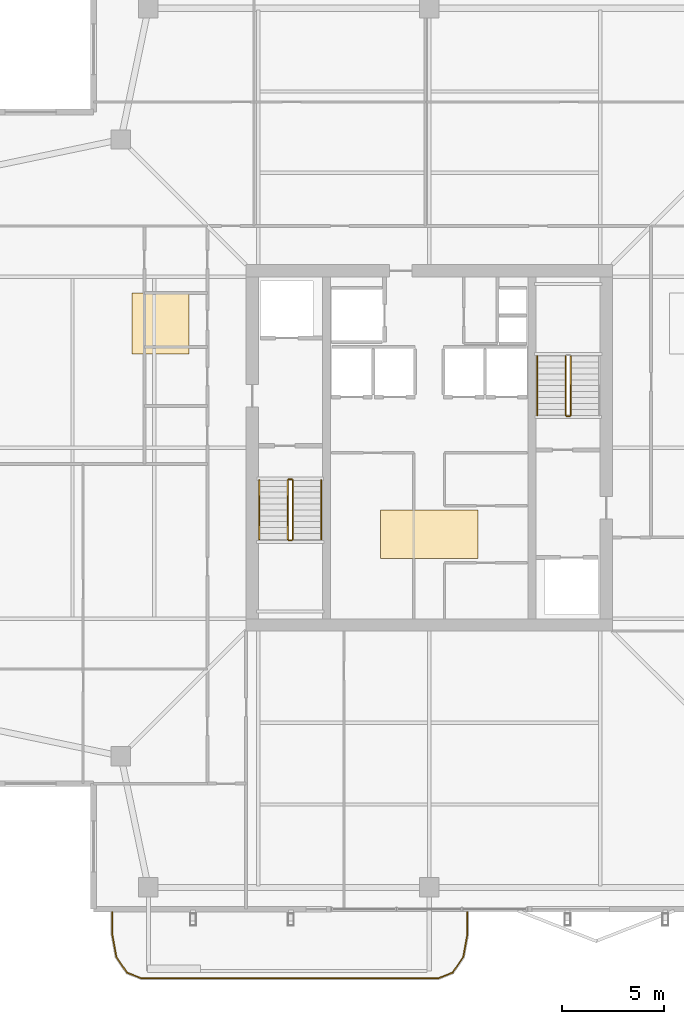
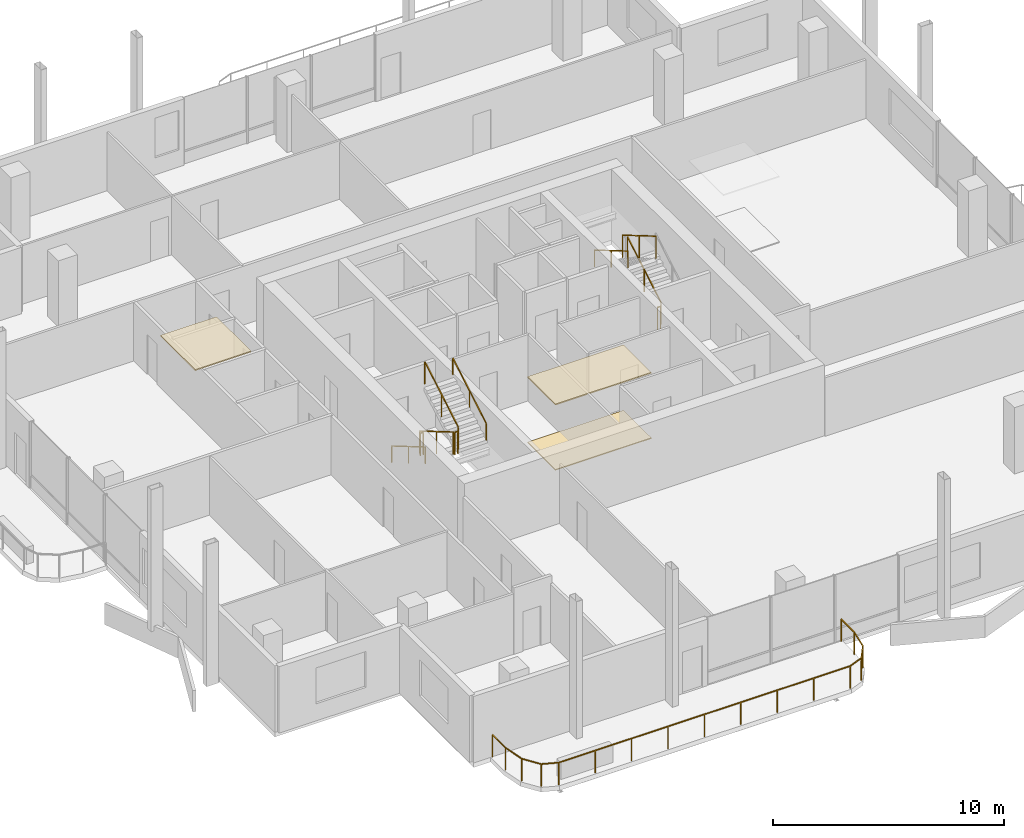
# One storey, part 18 of 20: 11 railings, 3 coverings.
"""IFC4 building model written with IfcOpenShell, lengths in metres."""

from ifc_helpers import new_model, si_unit, direction, frame, origin, origin_2d, place, context, subcontext, project, spatial, polyline, rectangle, outline, extrude, material, layer, layer_set, type_object, element, save


model = new_model("IFC4")

# Units and contexts
model_context = context("Model", 3, precision=1e-05, world=origin(), true_north=direction((0.0, 1.0)))
body_context = subcontext(model_context, "Body", "Model", "MODEL_VIEW")
ifc_project = project(units=[si_unit("LENGTHUNIT", "METRE"), si_unit("AREAUNIT", "SQUARE_METRE"), si_unit("VOLUMEUNIT", "CUBIC_METRE"), si_unit("PLANEANGLEUNIT", "RADIAN"), si_unit("MASSUNIT", "GRAM", prefix="KILO")], contexts=[model_context])

# Site, building, storey
site_placement = place(None, origin())
site = spatial("IfcSite", under=ifc_project, at=site_placement, CompositionType="ELEMENT")
building_placement = place(site_placement, origin())
building = spatial("IfcBuilding", under=site, at=building_placement, Name="Belovzor Exchange Tower", CompositionType="ELEMENT")
storey_placement = place(building_placement, frame((0.0, 0.0, 314.25)))
storey = spatial("IfcBuildingStorey", under=building, at=storey_placement, Name="L78", CompositionType="ELEMENT", Elevation=314.25)

# Railings
ifc_material_1 = material(Name="Stainless Steel Grade 304", Category="steel")
railing_type_1 = type_object("IfcRailingType", Name="Brushed Stainless Steel Stair Handrail 900", PredefinedType="HANDRAIL", material=ifc_material_1)
railing_1_placement = place(storey_placement, frame((20.449951171875, 27.199951171875, 0.17041015625)))
element("IfcRailing", 1, at=railing_1_placement, inside=storey, type_object=railing_type_1, Name="L78 ST-1 stair handrail 1", PredefinedType="HANDRAIL", context=body_context, shape_type="SweptSolid", body=[
    extrude(rectangle(XDim=0.048095703125, YDim=0.048095703125, at=origin_2d()), frame((0.0, 0.0, 0.8759765625), z_axis=(0.0, -0.86209462966, 0.506747323142), x_axis=(1.0, 0.0, 0.0)), (0.0, 0.0, 1.0), 3.36376953125),
    extrude(rectangle(XDim=0.0419921875, YDim=0.0419921875, at=origin_2d()), origin(), (0.0, 0.0, 1.0), 0.851806640625),
    extrude(rectangle(XDim=0.0419921875, YDim=0.0419921875, at=origin_2d()), frame((0.0, -1.449951171875, 0.852294921875)), (0.0, 0.0, 1.0), 0.851806640625),
    extrude(rectangle(XDim=0.0419921875, YDim=0.0419921875, at=origin_2d()), frame((0.0, -2.89990234375, 1.70458984375)), (0.0, 0.0, 1.0), 0.851806640625),
])
railing_2_placement = place(storey_placement, frame((23.5, 24.300048828125, 2.04541015625)))
element("IfcRailing", 2, at=railing_2_placement, inside=storey, type_object=railing_type_1, Name="L78 ST-1 stair handrail 2", PredefinedType="HANDRAIL", context=body_context, shape_type="SweptSolid", body=[
    extrude(rectangle(XDim=0.048095703125, YDim=0.048095703125, at=origin_2d()), frame((0.0, 0.0, 0.8759765625), z_axis=(0.0, 0.86209462966, 0.506747323142), x_axis=(-1.0, 0.0, 0.0)), (0.0, 0.0, 1.0), 3.36376953125),
    extrude(rectangle(XDim=0.0419921875, YDim=0.0419921875, at=origin_2d()), origin(), (0.0, 0.0, 1.0), 0.851806640625),
    extrude(rectangle(XDim=0.0419921875, YDim=0.0419921875, at=origin_2d()), frame((0.0, 1.449951171875, 0.852294921875)), (0.0, 0.0, 1.0), 0.851806640625),
    extrude(rectangle(XDim=0.0419921875, YDim=0.0419921875, at=origin_2d()), frame((0.0, 2.89990234375, 1.70458984375)), (0.0, 0.0, 1.0), 0.851806640625),
])
railing_3_placement = place(storey_placement, frame((34.10009765625, 33.300048828125, 2.04541015625)))
element("IfcRailing", 3, at=railing_3_placement, inside=storey, type_object=railing_type_1, Name="L78 ST-2 stair handrail 2", PredefinedType="HANDRAIL", context=body_context, shape_type="SweptSolid", body=[
    extrude(rectangle(XDim=0.048095703125, YDim=0.048095703125, at=origin_2d()), frame((0.0, 0.0, 0.8759765625), z_axis=(0.0, -0.862113265706, 0.506715617574), x_axis=(1.0, 0.0, 0.0)), (0.0, 0.0, 1.0), 3.364013671875),
    extrude(rectangle(XDim=0.0419921875, YDim=0.0419921875, at=origin_2d()), origin(), (0.0, 0.0, 1.0), 0.851806640625),
    extrude(rectangle(XDim=0.0419921875, YDim=0.0419921875, at=origin_2d()), frame((0.0, -1.4501953125, 0.852294921875)), (0.0, 0.0, 1.0), 0.851806640625),
    extrude(rectangle(XDim=0.0419921875, YDim=0.0419921875, at=origin_2d()), frame((0.0, -2.900146484375, 1.70458984375)), (0.0, 0.0, 1.0), 0.851806640625),
])
ifc_material_2 = material(Name="Stainless Steel and Laminated Safety Glass", Category="steel")
railing_type_2 = type_object("IfcRailingType", Name="Laminated Glass & Stainless Steel Balcony Balustrade 1200", PredefinedType="BALUSTRADE", material=ifc_material_2)
railing_4_placement = place(storey_placement, frame((13.22998046875, 5.989990234375, 0.0)))
element("IfcRailing", 4, at=railing_4_placement, inside=storey, type_object=railing_type_2, Name="GR-1 Balcony Balustrade L78 South", PredefinedType="BALUSTRADE", context=body_context, shape_type="SweptSolid", body=[
    extrude(rectangle(XDim=0.048095703125, YDim=0.048095703125, at=origin_2d()), frame((0.0, 0.0, 1.17578125), z_axis=(0.0, -1.0, 0.0), x_axis=(1.0, 0.0, 0.0)), (0.0, 0.0, 1.0), 1.133056640625),
    extrude(rectangle(XDim=0.048095703125, YDim=0.048095703125, at=origin_2d()), frame((0.0, -1.133056640625, 1.17578125), z_axis=(0.180122719713, -0.983644145941, 0.0), x_axis=(0.983644145941, 0.180122719713, 0.0)), (0.0, 0.0, 1.0), 1.09375),
    extrude(rectangle(XDim=0.048095703125, YDim=0.048095703125, at=origin_2d()), frame((0.197021484375, -2.208984375, 1.17578125), z_axis=(0.562768145367, -0.826614792125, 0.0), x_axis=(0.826614792125, 0.562768145367, 0.0)), (0.0, 0.0, 1.0), 0.9326171875),
    extrude(rectangle(XDim=0.048095703125, YDim=0.048095703125, at=origin_2d()), frame((0.721923828125, -2.97998046875, 1.17578125), z_axis=(0.930809580156, -0.365504480807, 0.0), x_axis=(0.365504480807, 0.930809580156, 0.0)), (0.0, 0.0, 1.0), 0.76611328125),
    extrude(rectangle(XDim=0.048095703125, YDim=0.048095703125, at=origin_2d()), frame((1.43505859375, -3.260009765625, 1.17578125), z_axis=(1.0, 0.0, 0.0), x_axis=(0.0, 1.0, 0.0)), (0.0, 0.0, 1.0), 14.570068359375),
    extrude(rectangle(XDim=0.048095703125, YDim=0.048095703125, at=origin_2d()), frame((16.005126953125, -3.260009765625, 1.17578125), z_axis=(0.930766990125, 0.365612923861, 0.0), x_axis=(-0.365612923861, 0.930766990125, 0.0)), (0.0, 0.0, 1.0), 0.765869140625),
    extrude(rectangle(XDim=0.048095703125, YDim=0.048095703125, at=origin_2d()), frame((16.718017578125, -2.97998046875, 1.17578125), z_axis=(0.562768145367, 0.826614792125, 0.0), x_axis=(-0.826614792125, 0.562768145367, 0.0)), (0.0, 0.0, 1.0), 0.9326171875),
    extrude(rectangle(XDim=0.048095703125, YDim=0.048095703125, at=origin_2d()), frame((17.242919921875, -2.208984375, 1.17578125), z_axis=(0.180122719713, 0.983644145941, 0.0), x_axis=(-0.983644145941, 0.180122719713, 0.0)), (0.0, 0.0, 1.0), 1.09375),
    extrude(rectangle(XDim=0.048095703125, YDim=0.048095703125, at=origin_2d()), frame((17.43994140625, -1.133056640625, 1.17578125), z_axis=(0.0, 1.0, 0.0), x_axis=(-1.0, 0.0, 0.0)), (0.0, 0.0, 1.0), 1.133056640625),
    extrude(rectangle(XDim=0.0419921875, YDim=0.0419921875, at=origin_2d()), origin(), (0.0, 0.0, 1.0), 1.15185546875),
    extrude(rectangle(XDim=0.0419921875, YDim=0.0419921875, at=origin_2d()), frame((0.0, -1.133056640625, 0.0)), (0.0, 0.0, 1.0), 1.15185546875),
    extrude(rectangle(XDim=0.0419921875, YDim=0.0419921875, at=origin_2d()), frame((0.197021484375, -2.208984375, 0.0)), (0.0, 0.0, 1.0), 1.15185546875),
    extrude(rectangle(XDim=0.0419921875, YDim=0.0419921875, at=origin_2d()), frame((0.721923828125, -2.97998046875, 0.0)), (0.0, 0.0, 1.0), 1.15185546875),
    extrude(rectangle(XDim=0.0419921875, YDim=0.0419921875, at=origin_2d()), frame((1.43505859375, -3.260009765625, 0.0)), (0.0, 0.0, 1.0), 1.15185546875),
    extrude(rectangle(XDim=0.0419921875, YDim=0.0419921875, at=origin_2d()), frame((3.25634765625, -3.260009765625, 0.0)), (0.0, 0.0, 1.0), 1.15185546875),
    extrude(rectangle(XDim=0.0419921875, YDim=0.0419921875, at=origin_2d()), frame((5.07763671875, -3.260009765625, 0.0)), (0.0, 0.0, 1.0), 1.15185546875),
    extrude(rectangle(XDim=0.0419921875, YDim=0.0419921875, at=origin_2d()), frame((6.89892578125, -3.260009765625, 0.0)), (0.0, 0.0, 1.0), 1.15185546875),
    extrude(rectangle(XDim=0.0419921875, YDim=0.0419921875, at=origin_2d()), frame((8.72021484375, -3.260009765625, 0.0)), (0.0, 0.0, 1.0), 1.15185546875),
    extrude(rectangle(XDim=0.0419921875, YDim=0.0419921875, at=origin_2d()), frame((10.541259765625, -3.260009765625, 0.0)), (0.0, 0.0, 1.0), 1.15185546875),
    extrude(rectangle(XDim=0.0419921875, YDim=0.0419921875, at=origin_2d()), frame((12.362548828125, -3.260009765625, 0.0)), (0.0, 0.0, 1.0), 1.15185546875),
    extrude(rectangle(XDim=0.0419921875, YDim=0.0419921875, at=origin_2d()), frame((14.183837890625, -3.260009765625, 0.0)), (0.0, 0.0, 1.0), 1.15185546875),
    extrude(rectangle(XDim=0.0419921875, YDim=0.0419921875, at=origin_2d()), frame((16.005126953125, -3.260009765625, 0.0)), (0.0, 0.0, 1.0), 1.15185546875),
    extrude(rectangle(XDim=0.0419921875, YDim=0.0419921875, at=origin_2d()), frame((16.718017578125, -2.97998046875, 0.0)), (0.0, 0.0, 1.0), 1.15185546875),
    extrude(rectangle(XDim=0.0419921875, YDim=0.0419921875, at=origin_2d()), frame((17.242919921875, -2.208984375, 0.0)), (0.0, 0.0, 1.0), 1.15185546875),
    extrude(rectangle(XDim=0.0419921875, YDim=0.0419921875, at=origin_2d()), frame((17.43994140625, -1.133056640625, 0.0)), (0.0, 0.0, 1.0), 1.15185546875),
    extrude(rectangle(XDim=0.0419921875, YDim=0.0419921875, at=origin_2d()), frame((17.43994140625, 0.0, 0.0)), (0.0, 0.0, 1.0), 1.15185546875),
])
ifc_material_3 = material(Name="Steel S355", Category="steel")
railing_type_3 = type_object("IfcRailingType", Name="Painted Steel Stairwell Guardrail 1200", PredefinedType="GUARDRAIL", material=ifc_material_3)
railing_5_placement = place(storey_placement, frame((21.85009765625, 27.199951171875, 0.17041015625)))
element("IfcRailing", 5, at=railing_5_placement, inside=storey, type_object=railing_type_3, Name="L78 ST-1 stair guard 1", PredefinedType="GUARDRAIL", context=body_context, shape_type="SweptSolid", body=[
    extrude(rectangle(XDim=0.048095703125, YDim=0.048095703125, at=origin_2d()), frame((0.0, 0.0, 1.17578125), z_axis=(0.0, -0.86209462966, 0.506747323142), x_axis=(1.0, 0.0, 0.0)), (0.0, 0.0, 1.0), 3.36376953125),
    extrude(rectangle(XDim=0.0419921875, YDim=0.0419921875, at=origin_2d()), origin(), (0.0, 0.0, 1.0), 1.15185546875),
    extrude(rectangle(XDim=0.0419921875, YDim=0.0419921875, at=origin_2d()), frame((0.0, -1.449951171875, 0.852294921875)), (0.0, 0.0, 1.0), 1.15185546875),
    extrude(rectangle(XDim=0.0419921875, YDim=0.0419921875, at=origin_2d()), frame((0.0, -2.89990234375, 1.70458984375)), (0.0, 0.0, 1.0), 1.15185546875),
])
railing_6_placement = place(storey_placement, frame((21.89990234375, 24.25, 1.875)))
element("IfcRailing", 6, at=railing_6_placement, inside=storey, type_object=railing_type_3, Name="L78 ST-1 stair guard 2", PredefinedType="GUARDRAIL", context=body_context, shape_type="SweptSolid", body=[
    extrude(rectangle(XDim=0.048095703125, YDim=0.048095703125, at=origin_2d()), frame((0.0, 0.0, 1.17578125), z_axis=(1.0, 0.0, 0.0), x_axis=(0.0, 1.0, 0.0)), (0.0, 0.0, 1.0), 0.150146484375),
    extrude(rectangle(XDim=0.0419921875, YDim=0.0419921875, at=origin_2d()), origin(), (0.0, 0.0, 1.0), 1.15185546875),
    extrude(rectangle(XDim=0.0419921875, YDim=0.0419921875, at=origin_2d()), frame((0.150146484375, 0.0, 0.0)), (0.0, 0.0, 1.0), 1.15185546875),
])
railing_7_placement = place(storey_placement, frame((22.10009765625, 24.300048828125, 2.04541015625)))
element("IfcRailing", 7, at=railing_7_placement, inside=storey, type_object=railing_type_3, Name="L78 ST-1 stair guard 3", PredefinedType="GUARDRAIL", context=body_context, shape_type="SweptSolid", body=[
    extrude(rectangle(XDim=0.048095703125, YDim=0.048095703125, at=origin_2d()), frame((0.0, 0.0, 1.17578125), z_axis=(0.0, 0.86209462966, 0.506747323142), x_axis=(-1.0, 0.0, 0.0)), (0.0, 0.0, 1.0), 3.36376953125),
    extrude(rectangle(XDim=0.0419921875, YDim=0.0419921875, at=origin_2d()), origin(), (0.0, 0.0, 1.0), 1.15185546875),
    extrude(rectangle(XDim=0.0419921875, YDim=0.0419921875, at=origin_2d()), frame((0.0, 1.449951171875, 0.852294921875)), (0.0, 0.0, 1.0), 1.15185546875),
    extrude(rectangle(XDim=0.0419921875, YDim=0.0419921875, at=origin_2d()), frame((0.0, 2.89990234375, 1.70458984375)), (0.0, 0.0, 1.0), 1.15185546875),
])
railing_8_placement = place(storey_placement, frame((21.89990234375, 27.25, 0.0)))
element("IfcRailing", 8, at=railing_8_placement, inside=storey, type_object=railing_type_3, Name="L78 ST-1 stair guard 4", PredefinedType="GUARDRAIL", context=body_context, shape_type="SweptSolid", body=[
    extrude(rectangle(XDim=0.048095703125, YDim=0.048095703125, at=origin_2d()), frame((0.0, 0.0, 1.17578125), z_axis=(1.0, 0.0, 0.0), x_axis=(0.0, 1.0, 0.0)), (0.0, 0.0, 1.0), 0.150146484375),
    extrude(rectangle(XDim=0.0419921875, YDim=0.0419921875, at=origin_2d()), origin(), (0.0, 0.0, 1.0), 1.15185546875),
    extrude(rectangle(XDim=0.0419921875, YDim=0.0419921875, at=origin_2d()), frame((0.150146484375, 0.0, 0.0)), (0.0, 0.0, 1.0), 1.15185546875),
])
railing_9_placement = place(storey_placement, frame((35.75, 30.39990234375, 0.17041015625)))
element("IfcRailing", 9, at=railing_9_placement, inside=storey, type_object=railing_type_3, Name="L78 ST-2 stair guard 1", PredefinedType="GUARDRAIL", context=body_context, shape_type="SweptSolid", body=[
    extrude(rectangle(XDim=0.048095703125, YDim=0.048095703125, at=origin_2d()), frame((0.0, 0.0, 1.17578125), z_axis=(0.0, 0.862113265706, 0.506715617574), x_axis=(-1.0, 0.0, 0.0)), (0.0, 0.0, 1.0), 3.364013671875),
    extrude(rectangle(XDim=0.0419921875, YDim=0.0419921875, at=origin_2d()), origin(), (0.0, 0.0, 1.0), 1.15185546875),
    extrude(rectangle(XDim=0.0419921875, YDim=0.0419921875, at=origin_2d()), frame((0.0, 1.4501953125, 0.852294921875)), (0.0, 0.0, 1.0), 1.15185546875),
    extrude(rectangle(XDim=0.0419921875, YDim=0.0419921875, at=origin_2d()), frame((0.0, 2.900146484375, 1.70458984375)), (0.0, 0.0, 1.0), 1.15185546875),
])
railing_10_placement = place(storey_placement, frame((35.5, 33.300048828125, 2.04541015625)))
element("IfcRailing", 10, at=railing_10_placement, inside=storey, type_object=railing_type_3, Name="L78 ST-2 stair guard 3", PredefinedType="GUARDRAIL", context=body_context, shape_type="SweptSolid", body=[
    extrude(rectangle(XDim=0.048095703125, YDim=0.048095703125, at=origin_2d()), frame((0.0, 0.0, 1.17578125), z_axis=(0.0, -0.862113265706, 0.506715617574), x_axis=(1.0, 0.0, 0.0)), (0.0, 0.0, 1.0), 3.364013671875),
    extrude(rectangle(XDim=0.0419921875, YDim=0.0419921875, at=origin_2d()), origin(), (0.0, 0.0, 1.0), 1.15185546875),
    extrude(rectangle(XDim=0.0419921875, YDim=0.0419921875, at=origin_2d()), frame((0.0, -1.4501953125, 0.852294921875)), (0.0, 0.0, 1.0), 1.15185546875),
    extrude(rectangle(XDim=0.0419921875, YDim=0.0419921875, at=origin_2d()), frame((0.0, -2.900146484375, 1.70458984375)), (0.0, 0.0, 1.0), 1.15185546875),
])
railing_11_placement = place(storey_placement, frame((35.699951171875, 30.35009765625, 0.0)))
element("IfcRailing", 11, at=railing_11_placement, inside=storey, type_object=railing_type_3, Name="L78 ST-2 stair guard 4", PredefinedType="GUARDRAIL", context=body_context, shape_type="SweptSolid", body=[
    extrude(rectangle(XDim=0.048095703125, YDim=0.048095703125, at=origin_2d()), frame((0.0, 0.0, 1.17578125), z_axis=(-1.0, 0.0, 0.0), x_axis=(0.0, -1.0, 0.0)), (0.0, 0.0, 1.0), 0.14990234375),
    extrude(rectangle(XDim=0.0419921875, YDim=0.0419921875, at=origin_2d()), origin(), (0.0, 0.0, 1.0), 1.15185546875),
    extrude(rectangle(XDim=0.0419921875, YDim=0.0419921875, at=origin_2d()), frame((-0.14990234375, 0.0, 0.0)), (0.0, 0.0, 1.0), 1.15185546875),
])

# Coverings
ifc_material_4 = material(Name="Perforated Powder-Coated Aluminium", Category="aluminium")
ifc_layer_1 = layer(ifc_material_4, 0.06005859375)
ifc_layer_set_1 = layer_set([ifc_layer_1], Name="Perforated Powder-Coated Aluminium")
covering_type_1 = type_object("IfcCoveringType", Name="Perforated Acoustic Metal Tile Suspended Ceiling 60", PredefinedType="CEILING", material=ifc_layer_set_1)
covering_1_placement = place(storey_placement, frame((0.0, 0.0, 3.449951171875)))
element("IfcCovering", 12, at=covering_1_placement, inside=storey, type_object=covering_type_1, Name="CLG-AC60 Suspended Ceiling CLG-L78-LOB", PredefinedType="CEILING", context=body_context, shape_type="SweptSolid", body=[
    extrude(outline(polyline([(26.39990234375, 23.35009765625), (31.199951171875, 23.35009765625), (31.199951171875, 25.75), (26.39990234375, 25.75), (26.39990234375, 23.35009765625)])), origin(), (0.0, 0.0, 1.0), 0.06005859375),
])
covering_2_placement = place(storey_placement, frame((0.0, 0.0, 3.449951171875)))
element("IfcCovering", 13, at=covering_2_placement, inside=storey, type_object=covering_type_1, Name="CLG-AC60 Suspended Ceiling CLG-L78-Z3", PredefinedType="CEILING", context=body_context, shape_type="SweptSolid", body=[
    extrude(outline(polyline([(14.199951171875, 33.39990234375), (17.0, 33.39990234375), (17.0, 36.39990234375), (14.199951171875, 36.39990234375), (14.199951171875, 33.39990234375)])), origin(), (0.0, 0.0, 1.0), 0.06005859375),
])
ifc_material_5 = material(Name="Polished Natural Granite Tile", Category="masonry")
ifc_layer_2 = layer(ifc_material_5, 0.050048828125)
ifc_layer_set_2 = layer_set([ifc_layer_2], Name="Polished Natural Granite Tile")
covering_type_2 = type_object("IfcCoveringType", Name="Polished Karelian Granite & Raised Access Floor Finish 50", PredefinedType="FLOORING", material=ifc_layer_set_2)
covering_3_placement = place(storey_placement, origin())
element("IfcCovering", 14, at=covering_3_placement, inside=storey, type_object=covering_type_2, Name="FLR-GR50 Floor Finish FLR-L78-LOB", PredefinedType="FLOORING", context=body_context, shape_type="SweptSolid", body=[
    extrude(outline(polyline([(26.39990234375, 23.35009765625), (31.199951171875, 23.35009765625), (31.199951171875, 25.75), (26.39990234375, 25.75), (26.39990234375, 23.35009765625)])), origin(), (0.0, 0.0, 1.0), 0.050048828125),
])

save(model, "model.ifc")
